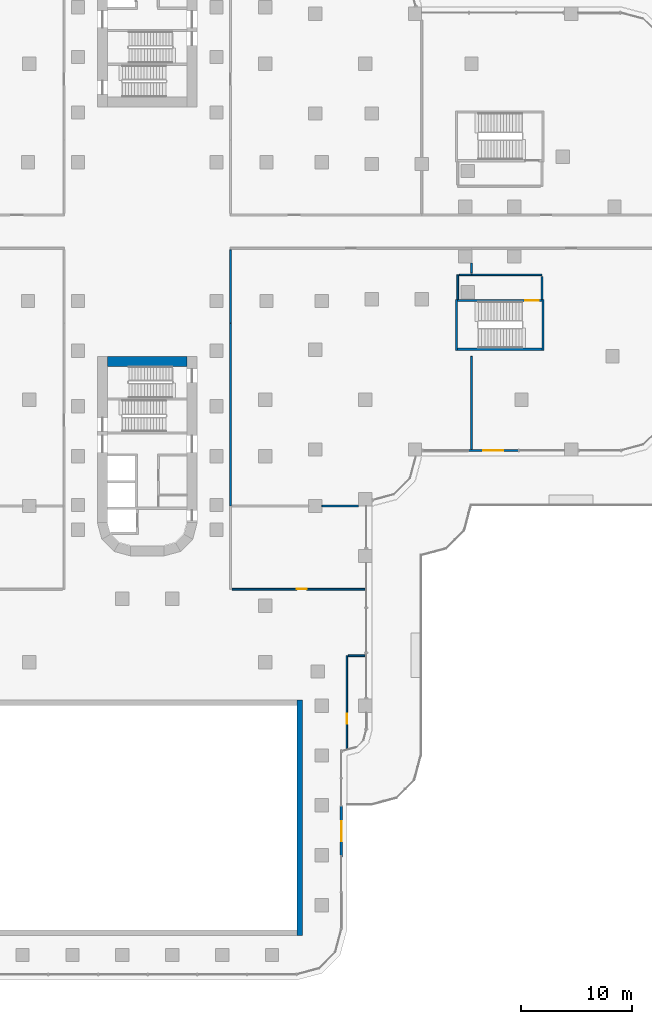
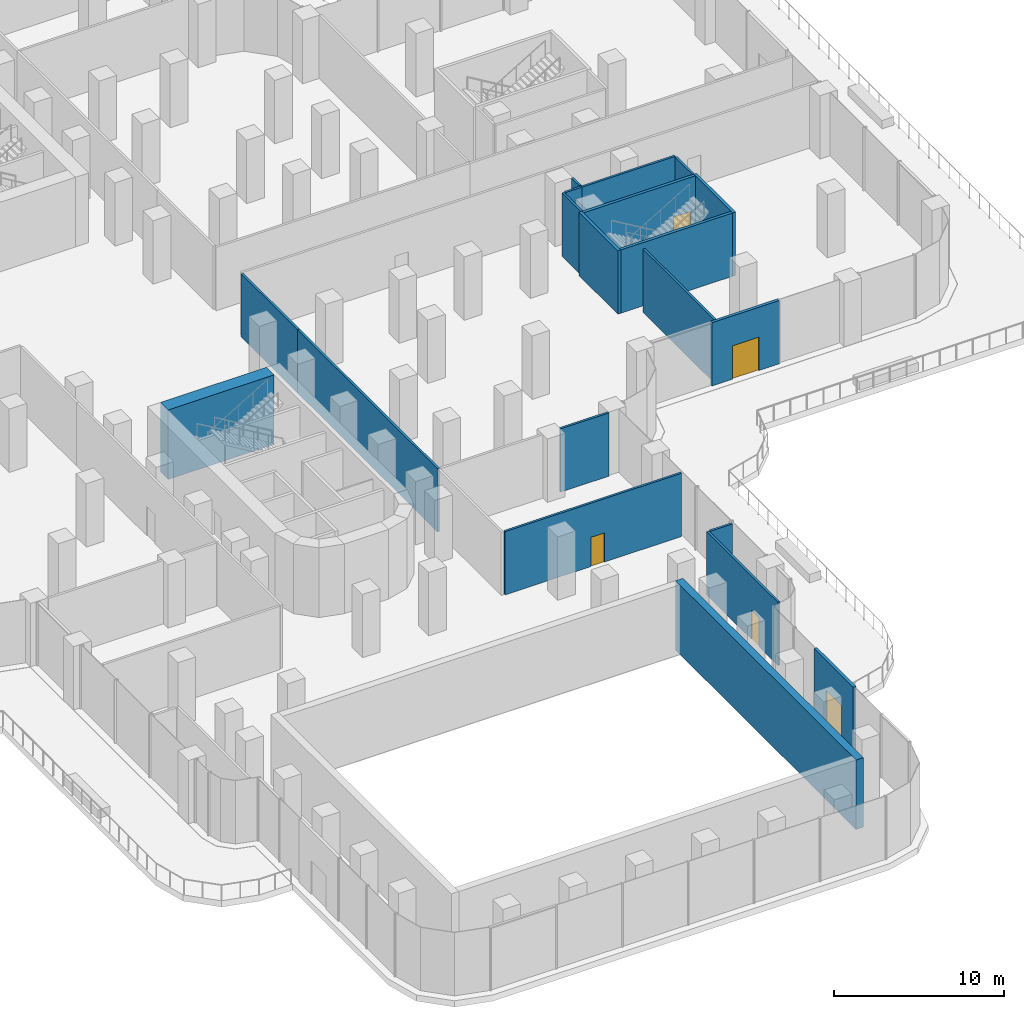
# One storey, part 19 of 29: 20 walls, 5 doors, 5 openings.
"""IFC4 building model written with IfcOpenShell, lengths in metres."""

from ifc_helpers import new_model, si_unit, direction, frame, frame_2d, origin, place, context, subcontext, project, spatial, rectangle, extrude, material, layer, layer_set, type_object, element, fill, save


model = new_model("IFC4")

# Units and contexts
model_context = context("Model", 3, precision=1e-05, world=origin(), true_north=direction((0.0, 1.0)))
body_context = subcontext(model_context, "Body", "Model", "MODEL_VIEW")
ifc_project = project(units=[si_unit("LENGTHUNIT", "METRE"), si_unit("AREAUNIT", "SQUARE_METRE"), si_unit("VOLUMEUNIT", "CUBIC_METRE"), si_unit("PLANEANGLEUNIT", "RADIAN"), si_unit("MASSUNIT", "GRAM", prefix="KILO")], contexts=[model_context])

# Site, building, storey
site_placement = place(None, origin())
site = spatial("IfcSite", under=ifc_project, at=site_placement, CompositionType="ELEMENT")
building_placement = place(site_placement, origin())
building = spatial("IfcBuilding", under=site, at=building_placement, Name="Zarbagh Exchange Tower", CompositionType="ELEMENT")
storey_placement = place(building_placement, frame((0.0, 0.0, 12.0)))
storey = spatial("IfcBuildingStorey", under=building, at=storey_placement, Name="L02", CompositionType="ELEMENT", Elevation=12.0)

# Walls
ifc_material_1 = material(Name="Plasterboard partition")
ifc_layer_1 = layer(ifc_material_1, 0.14990234375)
ifc_layer_set_1 = layer_set([ifc_layer_1], Name="Board partition 150")
wall_type_1 = type_object("IfcWallType", Name="Board partition 150", PredefinedType="PARTITIONING", material=ifc_layer_set_1)
wall_1_placement = place(storey_placement, frame((28.0, -6.10009765625, 0.0), z_axis=(0.0, 0.0, 1.0), x_axis=(0.0, 1.0, 0.0)))
element("IfcWall", 1, at=wall_1_placement, inside=storey, type_object=wall_type_1, Name="WL-L02-W013", PredefinedType="PARTITIONING", context=body_context, shape_type="SweptSolid", body=[
    extrude(rectangle(XDim=2.2001953125, YDim=0.14990234375, at=frame_2d((1.10009765625, 0.0))), origin(), (0.0, 0.0, 1.0), 4.550048828125),
])
wall_2_placement = place(storey_placement, frame((28.14990234375, -3.89990234375, 0.0), z_axis=(0.0, 0.0, 1.0), x_axis=(1.0, 0.0, 0.0)))
element("IfcWall", 2, at=wall_2_placement, inside=storey, type_object=wall_type_1, Name="WL-L02-W014", PredefinedType="PARTITIONING", context=body_context, shape_type="SweptSolid", body=[
    extrude(rectangle(XDim=1.10009765625, YDim=0.14990234375, at=frame_2d((0.550048828125, 0.0))), origin(), (0.0, 0.0, 1.0), 4.550048828125),
])
wall_3_placement = place(storey_placement, frame((29.25, -3.89990234375, 0.0), z_axis=(0.0, 0.0, 1.0), x_axis=(1.0, 0.0, 0.0)))
element("IfcWall", 3, at=wall_3_placement, inside=storey, type_object=wall_type_1, Name="WL-L02-W015", PredefinedType="PARTITIONING", context=body_context, shape_type="SweptSolid", body=[
    extrude(rectangle(XDim=6.35009765625, YDim=0.14990234375, at=frame_2d((3.175048828125, 0.0))), origin(), (0.0, 0.0, 1.0), 4.550048828125),
])
wall_4_placement = place(storey_placement, frame((35.60009765625, -4.050048828125, 0.0), z_axis=(0.0, 0.0, 1.0), x_axis=(0.0, -1.0, 0.0)))
element("IfcWall", 4, at=wall_4_placement, inside=storey, type_object=wall_type_1, Name="WL-L02-W016", PredefinedType="PARTITIONING", context=body_context, shape_type="SweptSolid", body=[
    extrude(rectangle(XDim=2.050048828125, YDim=0.14990234375, at=frame_2d((1.02490234375, 0.0))), origin(), (0.0, 0.0, 1.0), 4.550048828125),
])

# Wall, opening, door
wall_5_placement = place(storey_placement, frame((18.0, -38.25, 0.0), z_axis=(0.0, 0.0, 1.0), x_axis=(0.0, -1.0, 0.0)))
wall_5 = element("IfcWall", 5, at=wall_5_placement, inside=storey, type_object=wall_type_1, Name="WL-L02-W018", PredefinedType="PARTITIONING", context=body_context, shape_type="SweptSolid", body=[
    extrude(rectangle(XDim=8.3798828125, YDim=0.14990234375, at=frame_2d((4.18994140625, 0.0))), origin(), (0.0, 0.0, 1.0), 4.550048828125),
])
opening_1_placement = place(wall_5_placement, frame((5.25, 0.0, 0.0)))
opening_1 = element("IfcOpeningElement", 6, at=opening_1_placement, cuts=wall_5, Name="Opening D32", PredefinedType="OPENING", context=body_context, shape_type="SweptSolid", body=[
    extrude(rectangle(XDim=0.89990234375, YDim=2.10009765625, at=frame_2d((0.449951171875, 1.050048828125))), frame((0.0, 0.0849609375, 0.0), z_axis=(0.0, -1.0, 0.0), x_axis=(1.0, 0.0, 0.0)), (0.0, 0.0, 1.0), 0.169921875),
])
ifc_material_2 = material(Name="Timber door leaf", Category="wood")
door_type_1 = type_object("IfcDoorType", Name="Door single 900x2100", OperationType="SINGLE_SWING_LEFT", PredefinedType="DOOR", material=ifc_material_2)
door_1_placement = place(opening_1_placement, origin())
door_1 = element("IfcDoor", 7, at=door_1_placement, inside=storey, type_object=door_type_1, Name="D02", OperationType="SINGLE_SWING_LEFT", OverallHeight=2.10009765625, OverallWidth=0.89990234375, PredefinedType="DOOR", context=body_context, shape_type="SweptSolid", body=[
    extrude(rectangle(XDim=0.89990234375, YDim=2.10009765625, at=frame_2d((0.449951171875, 1.050048828125))), frame((0.0, 0.02490234375, 0.0), z_axis=(0.0, -1.0, 0.0), x_axis=(1.0, 0.0, 0.0)), (0.0, 0.0, 1.0), 0.050048828125),
])
fill(opening_1, door_1)

# Walls
wall_6_placement = place(storey_placement, frame((18.14990234375, -38.25, 0.0), z_axis=(0.0, 0.0, 1.0), x_axis=(1.0, 0.0, 0.0)))
element("IfcWall", 8, at=wall_6_placement, inside=storey, type_object=wall_type_1, Name="WL-L02-W020", PredefinedType="PARTITIONING", context=body_context, shape_type="SweptSolid", body=[
    extrude(rectangle(XDim=1.5, YDim=0.14990234375, at=frame_2d((0.75, 0.0))), origin(), (0.0, 0.0, 1.0), 4.550048828125),
])
wall_7_placement = place(storey_placement, frame((7.5, -8.25, 0.0), z_axis=(0.0, 0.0, 1.0), x_axis=(0.0, -1.0, 0.0)))
element("IfcWall", 9, at=wall_7_placement, inside=storey, type_object=wall_type_1, Name="WL-L02-W035", PredefinedType="PARTITIONING", context=body_context, shape_type="SweptSolid", body=[
    extrude(rectangle(XDim=16.5, YDim=0.14990234375, at=frame_2d((8.25, 0.0))), origin(), (0.0, 0.0, 1.0), 4.550048828125),
])
wall_8_placement = place(storey_placement, frame((29.25, -11.25, 0.0), z_axis=(0.0, 0.0, 1.0), x_axis=(0.0, -1.0, 0.0)))
element("IfcWall", 10, at=wall_8_placement, inside=storey, type_object=wall_type_1, Name="WL-L02-W063", PredefinedType="PARTITIONING", context=body_context, shape_type="SweptSolid", body=[
    extrude(rectangle(XDim=8.39990234375, YDim=0.14990234375, at=frame_2d((4.199951171875, 0.0))), origin(), (0.0, 0.0, 1.0), 4.550048828125),
])
wall_9_placement = place(storey_placement, frame((29.25, -2.85009765625, 0.0), z_axis=(0.0, 0.0, 1.0), x_axis=(0.0, -1.0, 0.0)))
element("IfcWall", 11, at=wall_9_placement, inside=storey, type_object=wall_type_1, Name="WL-L02-W064", PredefinedType="PARTITIONING", context=body_context, shape_type="SweptSolid", body=[
    extrude(rectangle(XDim=0.89990234375, YDim=0.14990234375, at=frame_2d((0.449951171875, 0.0))), origin(), (0.0, 0.0, 1.0), 4.550048828125),
])
wall_10_placement = place(storey_placement, frame((19.050048828125, -24.75, 0.0), z_axis=(0.0, 0.0, 1.0), x_axis=(-1.0, 0.0, 0.0)))
element("IfcWall", 12, at=wall_10_placement, inside=storey, type_object=wall_type_1, Name="WL-L02-W065", PredefinedType="PARTITIONING", context=body_context, shape_type="SweptSolid", body=[
    extrude(rectangle(XDim=3.300048828125, YDim=0.14990234375, at=frame_2d((1.64990234375, 0.0))), origin(), (0.0, 0.0, 1.0), 4.550048828125),
])
wall_11_placement = place(storey_placement, frame((7.5, -8.25, 0.0), z_axis=(0.0, 0.0, 1.0), x_axis=(0.0, 1.0, 0.0)))
element("IfcWall", 13, at=wall_11_placement, inside=storey, type_object=wall_type_1, Name="WL-L02-W067", PredefinedType="PARTITIONING", context=body_context, shape_type="SweptSolid", body=[
    extrude(rectangle(XDim=6.60009765625, YDim=0.14990234375, at=frame_2d((3.300048828125, 0.0))), origin(), (0.0, 0.0, 1.0), 4.550048828125),
])

# Wall, opening, door
wall_12_placement = place(storey_placement, frame((7.64990234375, -32.25, 0.0), z_axis=(0.0, 0.0, 1.0), x_axis=(1.0, 0.0, 0.0)))
wall_12 = element("IfcWall", 14, at=wall_12_placement, inside=storey, type_object=wall_type_1, Name="WL-L02-W068", PredefinedType="PARTITIONING", context=body_context, shape_type="SweptSolid", body=[
    extrude(rectangle(XDim=12.0, YDim=0.14990234375, at=frame_2d((6.0, 0.0))), origin(), (0.0, 0.0, 1.0), 4.550048828125),
])
opening_2_placement = place(wall_12_placement, frame((5.85009765625, 0.0, 0.0)))
opening_2 = element("IfcOpeningElement", 15, at=opening_2_placement, cuts=wall_12, Name="Opening D20", PredefinedType="OPENING", context=body_context, shape_type="SweptSolid", body=[
    extrude(rectangle(XDim=0.89990234375, YDim=2.10009765625, at=frame_2d((0.449951171875, 1.050048828125))), frame((0.0, 0.0849609375, 0.0), z_axis=(0.0, -1.0, 0.0), x_axis=(1.0, 0.0, 0.0)), (0.0, 0.0, 1.0), 0.169921875),
])
door_2_placement = place(opening_2_placement, origin())
door_2 = element("IfcDoor", 16, at=door_2_placement, inside=storey, type_object=door_type_1, Name="D20", OperationType="SINGLE_SWING_LEFT", OverallHeight=2.10009765625, OverallWidth=0.89990234375, PredefinedType="DOOR", context=body_context, shape_type="SweptSolid", body=[
    extrude(rectangle(XDim=0.89990234375, YDim=2.10009765625, at=frame_2d((0.449951171875, 1.050048828125))), frame((0.0, 0.02490234375, 0.0), z_axis=(0.0, -1.0, 0.0), x_axis=(1.0, 0.0, 0.0)), (0.0, 0.0, 1.0), 0.050048828125),
])
fill(opening_2, door_2)

# Walls
ifc_material_3 = material(Name="Concrete C60/75", Category="concrete")
ifc_layer_2 = layer(ifc_material_3, 0.89990234375)
ifc_layer_set_2 = layer_set([ifc_layer_2], Name="RC core wall 900 C60/75")
wall_type_2 = type_object("IfcWallType", Name="RC core wall 900 C60/75", PredefinedType="SHEAR", material=ifc_layer_set_2)
wall_13_placement = place(storey_placement, frame((-3.60009765625, -11.699951171875, 0.0), z_axis=(0.0, 0.0, 1.0), x_axis=(1.0, 0.0, 0.0)))
element("IfcWall", 17, at=wall_13_placement, inside=storey, type_object=wall_type_2, Name="CW1 core S inner end", PredefinedType="SHEAR", context=body_context, shape_type="SweptSolid", body=[
    extrude(rectangle(XDim=7.2001953125, YDim=0.89990234375, at=frame_2d((3.60009765625, 0.0))), origin(), (0.0, 0.0, 1.0), 5.0),
])
ifc_material_4 = material(Name="Concrete C50/60", Category="concrete")
ifc_layer_3 = layer(ifc_material_4, 0.5)
ifc_layer_set_3 = layer_set([ifc_layer_3], Name="RC hall wall 500 C50/60")
wall_type_3 = type_object("IfcWallType", Name="RC hall wall 500 C50/60", PredefinedType="SOLIDWALL", material=ifc_layer_set_3)
wall_14_placement = place(storey_placement, frame((13.75, -63.5, 0.0), z_axis=(0.0, 0.0, 1.0), x_axis=(0.0, 1.0, 0.0)))
element("IfcWall", 18, at=wall_14_placement, inside=storey, type_object=wall_type_3, Name="CW11 hall", PredefinedType="SOLIDWALL", context=body_context, shape_type="SweptSolid", body=[
    extrude(rectangle(XDim=21.25, YDim=0.5, at=frame_2d((10.625, 0.0))), origin(), (0.0, 0.0, 1.0), 5.0),
])
ifc_material_5 = material(Name="Concrete C40/50", Category="concrete")
ifc_layer_4 = layer(ifc_material_5, 0.199951171875)
ifc_layer_set_4 = layer_set([ifc_layer_4], Name="Stair enclosure wall 200 mm RC C40/50")
wall_type_4 = type_object("IfcWallType", Name="Stair enclosure wall 200 mm RC C40/50", PredefinedType="SHEAR", material=ifc_layer_set_4)
for number, where, z_axis, x_axis, name in (
    (19, (27.89990234375, -10.699951171875, 0.0), (0.0, 0.0, 1.0), (0.0, 1.0, 0.0), "Exit stair PS6 enclosure wall W"),
    (20, (35.699951171875, -10.699951171875, 0.0), (0.0, 0.0, 1.0), (0.0, 1.0, 0.0), "Exit stair PS6 enclosure wall E"),
):
    element("IfcWall", number, at=place(storey_placement, frame(where, z_axis=z_axis, x_axis=x_axis)), inside=storey, type_object=wall_type_4, Name=name, PredefinedType="SHEAR", context=body_context, shape_type="SweptSolid", body=[
        extrude(rectangle(XDim=4.599853515625, YDim=0.199951171875, at=frame_2d((2.2998046875, 0.0))), origin(), (0.0, 0.0, 1.0), 4.550048828125),
    ])
wall_15_placement = place(storey_placement, frame((28.0, -10.60009765625, 0.0), z_axis=(0.0, 0.0, 1.0), x_axis=(1.0, 0.0, 0.0)))
element("IfcWall", 21, at=wall_15_placement, inside=storey, type_object=wall_type_4, Name="Exit stair PS6 enclosure wall S", PredefinedType="SHEAR", context=body_context, shape_type="SweptSolid", body=[
    extrude(rectangle(XDim=7.60009765625, YDim=0.199951171875, at=frame_2d((3.800048828125, 0.0))), origin(), (0.0, 0.0, 1.0), 4.550048828125),
])

# Wall, opening, door
wall_16_placement = place(storey_placement, frame((28.0, -6.199951171875, 0.0), z_axis=(0.0, 0.0, 1.0), x_axis=(1.0, 0.0, 0.0)))
wall_16 = element("IfcWall", 22, at=wall_16_placement, inside=storey, type_object=wall_type_4, Name="Exit stair PS6 enclosure wall N", PredefinedType="SHEAR", context=body_context, shape_type="SweptSolid", body=[
    extrude(rectangle(XDim=7.60009765625, YDim=0.199951171875, at=frame_2d((3.800048828125, 0.0))), origin(), (0.0, 0.0, 1.0), 4.550048828125),
])
opening_3_placement = place(wall_16_placement, frame((6.10009765625, 0.0, 0.0)))
opening_3 = element("IfcOpeningElement", 23, at=opening_3_placement, cuts=wall_16, Name="Opening SD1-1200", PredefinedType="OPENING", context=body_context, shape_type="SweptSolid", body=[
    extrude(rectangle(XDim=1.199951171875, YDim=2.10009765625, at=frame_2d((0.60009765625, 1.050048828125))), frame((0.0, 0.10986328125, 0.0), z_axis=(0.0, -1.0, 0.0), x_axis=(1.0, 0.0, 0.0)), (0.0, 0.0, 1.0), 0.219970703125),
])
ifc_material_6 = material(Name="Steel", Category="steel")
door_type_2 = type_object("IfcDoorType", Name="Exit stair door 1200 x 2100", OperationType="NOTDEFINED", PredefinedType="DOOR", material=ifc_material_6)
door_3_placement = place(opening_3_placement, origin())
door_3 = element("IfcDoor", 24, at=door_3_placement, inside=storey, type_object=door_type_2, Name="Exit stair PS6 entry door", OperationType="SINGLE_SWING_RIGHT", OverallHeight=2.10009765625, OverallWidth=1.199951171875, PredefinedType="DOOR", context=body_context, shape_type="SweptSolid", body=[
    extrude(rectangle(XDim=1.199951171875, YDim=2.10009765625, at=frame_2d((0.60009765625, 1.050048828125))), frame((0.0, 0.02490234375, 0.0), z_axis=(0.0, -1.0, 0.0), x_axis=(1.0, 0.0, 0.0)), (0.0, 0.0, 1.0), 0.050048828125),
])
fill(opening_3, door_3)

ifc_material_7 = material(Name="Precast concrete C50/60", Category="concrete")
ifc_layer_5 = layer(ifc_material_7, 0.199951171875)
ifc_layer_set_5 = layer_set([ifc_layer_5], Name="Terrace door wall, precast concrete C50/60")
wall_type_5 = type_object("IfcWallType", Name="Terrace door wall, precast concrete C50/60", PredefinedType="SOLIDWALL", material=ifc_layer_set_5)
wall_17_placement = place(storey_placement, frame((17.5, -56.390380859375, 0.0), z_axis=(0.0, 0.0, 1.0), x_axis=(0.0, 1.0, 0.0)))
wall_17 = element("IfcWall", 25, at=wall_17_placement, inside=storey, type_object=wall_type_5, Name="TW09 door wall", PredefinedType="SOLIDWALL", context=body_context, shape_type="SweptSolid", body=[
    extrude(rectangle(XDim=4.580078125, YDim=0.199951171875, at=frame_2d((2.2900390625, 0.0))), origin(), (0.0, 0.0, 1.0), 4.550048828125),
])
opening_4_placement = place(wall_17_placement, frame((1.389892578125, 0.0, 0.0)))
opening_4 = element("IfcOpeningElement", 26, at=opening_4_placement, cuts=wall_17, Name="Opening TD03", PredefinedType="OPENING", context=body_context, shape_type="SweptSolid", body=[
    extrude(rectangle(XDim=1.800048828125, YDim=2.39990234375, at=frame_2d((0.89990234375, 1.199951171875))), frame((0.0, 0.10986328125, 0.0), z_axis=(0.0, -1.0, 0.0), x_axis=(1.0, 0.0, 0.0)), (0.0, 0.0, 1.0), 0.219970703125),
])
ifc_material_8 = material(Name="Anodised aluminium and glass", Category="aluminium")
door_type_3 = type_object("IfcDoorType", Name="Terrace door, double leaf, aluminium and glass", OperationType="DOUBLE_DOOR_DOUBLE_SWING", PredefinedType="DOOR", material=ifc_material_8)
door_4_placement = place(opening_4_placement, origin())
door_4 = element("IfcDoor", 27, at=door_4_placement, inside=storey, type_object=door_type_3, Name="TD03 terrace door", OperationType="SINGLE_SWING_LEFT", OverallHeight=2.39990234375, OverallWidth=1.800048828125, PredefinedType="DOOR", context=body_context, shape_type="SweptSolid", body=[
    extrude(rectangle(XDim=1.800048828125, YDim=2.39990234375, at=frame_2d((0.89990234375, 1.199951171875))), frame((0.0, 0.02490234375, 0.0), z_axis=(0.0, -1.0, 0.0), x_axis=(1.0, 0.0, 0.0)), (0.0, 0.0, 1.0), 0.050048828125),
])
fill(opening_4, door_4)

wall_18_placement = place(storey_placement, frame((28.91015625, -19.75, 0.0), z_axis=(0.0, 0.0, 1.0), x_axis=(1.0, 0.0, 0.0)))
wall_18 = element("IfcWall", 28, at=wall_18_placement, inside=storey, type_object=wall_type_5, Name="TW10 door wall", PredefinedType="SOLIDWALL", context=body_context, shape_type="SweptSolid", body=[
    extrude(rectangle(XDim=4.579833984375, YDim=0.199951171875, at=frame_2d((2.2900390625, 0.0))), origin(), (0.0, 0.0, 1.0), 4.550048828125),
])
opening_5_placement = place(wall_18_placement, frame((1.389892578125, 0.0, 0.0)))
opening_5 = element("IfcOpeningElement", 29, at=opening_5_placement, cuts=wall_18, Name="Opening TD03", PredefinedType="OPENING", context=body_context, shape_type="SweptSolid", body=[
    extrude(rectangle(XDim=1.800048828125, YDim=2.39990234375, at=frame_2d((0.89990234375, 1.199951171875))), frame((0.0, 0.10986328125, 0.0), z_axis=(0.0, -1.0, 0.0), x_axis=(1.0, 0.0, 0.0)), (0.0, 0.0, 1.0), 0.219970703125),
])
door_5_placement = place(opening_5_placement, origin())
door_5 = element("IfcDoor", 30, at=door_5_placement, inside=storey, type_object=door_type_3, Name="TD03 terrace door", OperationType="SINGLE_SWING_LEFT", OverallHeight=2.39990234375, OverallWidth=1.800048828125, PredefinedType="DOOR", context=body_context, shape_type="SweptSolid", body=[
    extrude(rectangle(XDim=1.800048828125, YDim=2.39990234375, at=frame_2d((0.89990234375, 1.199951171875))), frame((0.0, 0.02490234375, 0.0), z_axis=(0.0, -1.0, 0.0), x_axis=(1.0, 0.0, 0.0)), (0.0, 0.0, 1.0), 0.050048828125),
])
fill(opening_5, door_5)

save(model, "model.ifc")
